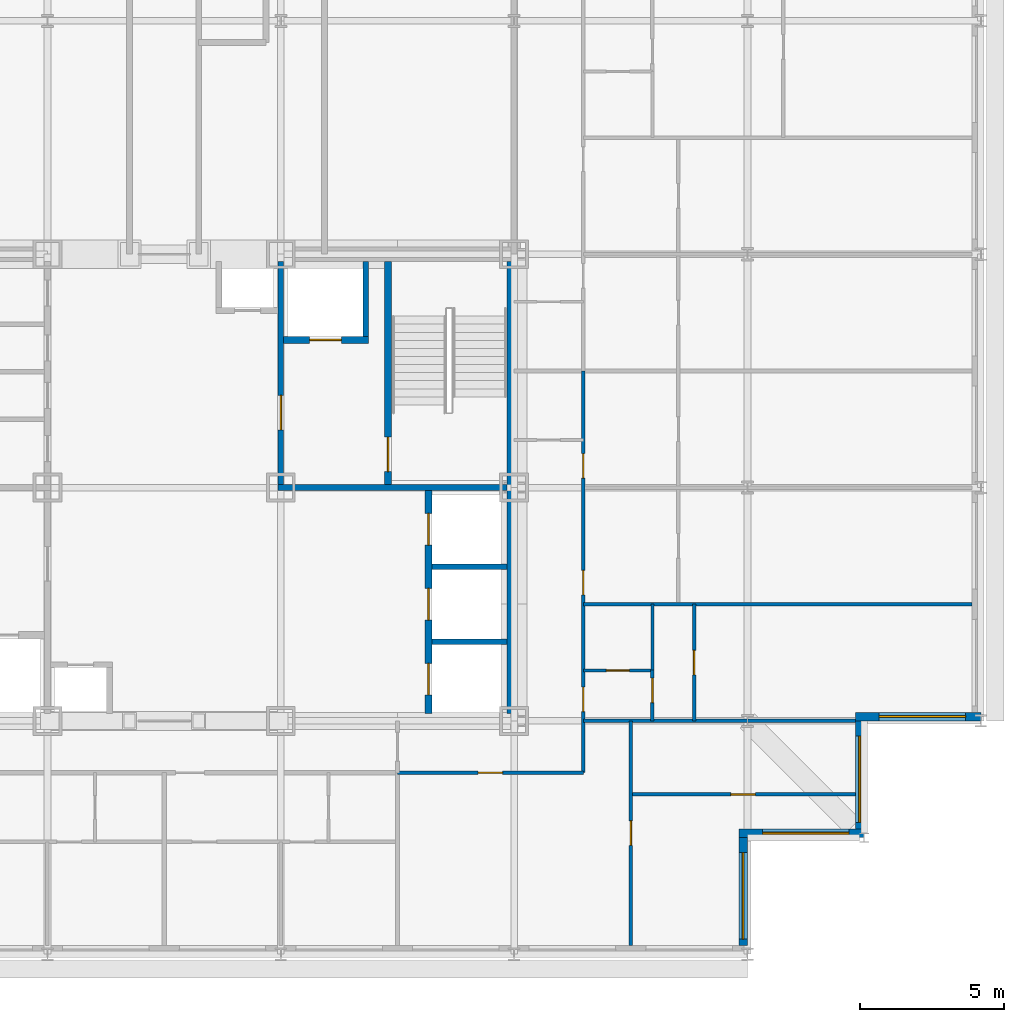
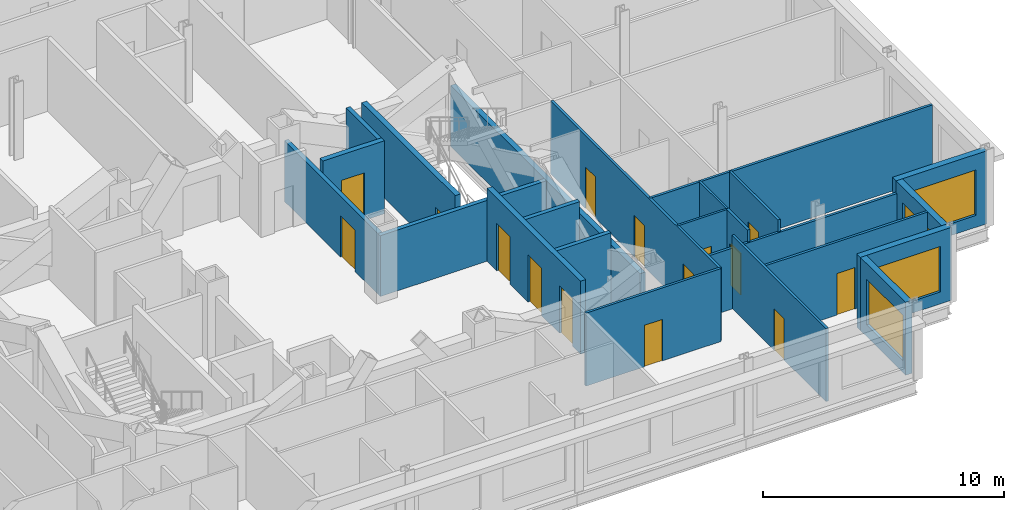
# One storey, part 10 of 15: 23 walls, 15 doors, 4 windows, 19 openings.
"""IFC4 building model written with IfcOpenShell, lengths in metres."""

from ifc_helpers import new_model, si_unit, direction, frame, frame_2d, origin, place, context, subcontext, project, spatial, rectangle, extrude, material, layer, layer_set, type_object, element, fill, save


model = new_model("IFC4")

# Units and contexts
model_context = context("Model", 3, precision=1e-05, world=origin(), true_north=direction((0.0, 1.0)))
body_context = subcontext(model_context, "Body", "Model", "MODEL_VIEW")
ifc_project = project(units=[si_unit("LENGTHUNIT", "METRE"), si_unit("AREAUNIT", "SQUARE_METRE"), si_unit("VOLUMEUNIT", "CUBIC_METRE"), si_unit("PLANEANGLEUNIT", "RADIAN"), si_unit("MASSUNIT", "GRAM", prefix="KILO")], contexts=[model_context])

# Site, building, storey
site_placement = place(None, origin())
site = spatial("IfcSite", under=ifc_project, at=site_placement, CompositionType="ELEMENT")
building_placement = place(site_placement, origin())
building = spatial("IfcBuilding", under=site, at=building_placement, Name="Kopane Lantern Tower", CompositionType="ELEMENT")
storey_placement = place(building_placement, frame((0.0, 0.0, 250.199951171875)))
storey = spatial("IfcBuildingStorey", under=building, at=storey_placement, Name="L64", CompositionType="ELEMENT", Elevation=250.199951171875)

# Wall, openings, doors
ifc_material_1 = material(Name="Gypsum board on steel studs", Category="steel")
ifc_layer_1 = layer(ifc_material_1, 0.1201171875)
ifc_layer_set_1 = layer_set([ifc_layer_1], Name="APARTMENT INTERNAL WALL 120")
wall_type_1 = type_object("IfcWallType", Name="APARTMENT INTERNAL WALL 120", PredefinedType="PARTITIONING", material=ifc_layer_set_1)
wall_1_placement = place(storey_placement, frame((42.89990234375, 22.5, 0.0), z_axis=(0.0, 0.0, 1.0), x_axis=(0.0, 1.0, 0.0)))
wall_1 = element("IfcWall", 1, at=wall_1_placement, inside=storey, type_object=wall_type_1, Name="Apartment Internal Wall 120 L64", PredefinedType="PARTITIONING", context=body_context, shape_type="SweptSolid", body=[
    extrude(rectangle(XDim=13.949951171875, YDim=0.1201171875, at=frame_2d((6.97509765625, 0.0))), origin(), (0.0, 0.0, 1.0), 3.68994140625),
])
opening_1_placement = place(wall_1_placement, frame((2.125, 0.0, 0.0)))
opening_1 = element("IfcOpeningElement", 2, at=opening_1_placement, cuts=wall_1, Name="Opening L64-048", PredefinedType="OPENING", context=body_context, shape_type="SweptSolid", body=[
    extrude(rectangle(XDim=0.85009765625, YDim=2.10009765625, at=frame_2d((0.425048828125, 1.050048828125))), frame((0.0, 0.070068359375, 0.0), z_axis=(0.0, -1.0, 0.0), x_axis=(1.0, 0.0, 0.0)), (0.0, 0.0, 1.0), 0.14013671875),
])
opening_2_placement = place(wall_1_placement, frame((6.175048828125, 0.0, 0.0)))
opening_2 = element("IfcOpeningElement", 3, at=opening_2_placement, cuts=wall_1, Name="Opening L64-049", PredefinedType="OPENING", context=body_context, shape_type="SweptSolid", body=[
    extrude(rectangle(XDim=0.85009765625, YDim=2.10009765625, at=frame_2d((0.425048828125, 1.050048828125))), frame((0.0, 0.070068359375, 0.0), z_axis=(0.0, -1.0, 0.0), x_axis=(1.0, 0.0, 0.0)), (0.0, 0.0, 1.0), 0.14013671875),
])
opening_3_placement = place(wall_1_placement, frame((10.22509765625, 0.0, 0.0)))
opening_3 = element("IfcOpeningElement", 4, at=opening_3_placement, cuts=wall_1, Name="Opening L64-050", PredefinedType="OPENING", context=body_context, shape_type="SweptSolid", body=[
    extrude(rectangle(XDim=0.85009765625, YDim=2.10009765625, at=frame_2d((0.425048828125, 1.050048828125))), frame((0.0, 0.070068359375, 0.0), z_axis=(0.0, -1.0, 0.0), x_axis=(1.0, 0.0, 0.0)), (0.0, 0.0, 1.0), 0.14013671875),
])
ifc_material_2 = material(Name="Timber door set", Category="wood")
door_type_1 = type_object("IfcDoorType", Name="DOOR D4 850x2100", OperationType="SINGLE_SWING_LEFT", PredefinedType="DOOR", material=ifc_material_2)
door_1_placement = place(opening_1_placement, origin())
door_1 = element("IfcDoor", 5, at=door_1_placement, inside=storey, type_object=door_type_1, Name="Door L64-048", OperationType="SINGLE_SWING_RIGHT", OverallHeight=2.10009765625, OverallWidth=0.85009765625, PredefinedType="DOOR", context=body_context, shape_type="SweptSolid", body=[
    extrude(rectangle(XDim=0.85009765625, YDim=2.10009765625, at=frame_2d((0.425048828125, 1.050048828125))), frame((0.0, 0.02490234375, 0.0), z_axis=(0.0, -1.0, 0.0), x_axis=(1.0, 0.0, 0.0)), (0.0, 0.0, 1.0), 0.050048828125),
])
fill(opening_1, door_1)
door_2_placement = place(opening_2_placement, origin())
door_2 = element("IfcDoor", 6, at=door_2_placement, inside=storey, type_object=door_type_1, Name="Door L64-049", OperationType="SINGLE_SWING_RIGHT", OverallHeight=2.10009765625, OverallWidth=0.85009765625, PredefinedType="DOOR", context=body_context, shape_type="SweptSolid", body=[
    extrude(rectangle(XDim=0.85009765625, YDim=2.10009765625, at=frame_2d((0.425048828125, 1.050048828125))), frame((0.0, 0.02490234375, 0.0), z_axis=(0.0, -1.0, 0.0), x_axis=(1.0, 0.0, 0.0)), (0.0, 0.0, 1.0), 0.050048828125),
])
fill(opening_2, door_2)
door_3_placement = place(opening_3_placement, origin())
door_3 = element("IfcDoor", 7, at=door_3_placement, inside=storey, type_object=door_type_1, Name="Door L64-050", OperationType="SINGLE_SWING_RIGHT", OverallHeight=2.10009765625, OverallWidth=0.85009765625, PredefinedType="DOOR", context=body_context, shape_type="SweptSolid", body=[
    extrude(rectangle(XDim=0.85009765625, YDim=2.10009765625, at=frame_2d((0.425048828125, 1.050048828125))), frame((0.0, 0.02490234375, 0.0), z_axis=(0.0, -1.0, 0.0), x_axis=(1.0, 0.0, 0.0)), (0.0, 0.0, 1.0), 0.050048828125),
])
fill(opening_3, door_3)

# Wall, opening, door
wall_2_placement = place(storey_placement, frame((36.449951171875, 22.5, 0.0), z_axis=(0.0, 0.0, 1.0), x_axis=(1.0, 0.0, 0.0)))
wall_2 = element("IfcWall", 8, at=wall_2_placement, inside=storey, type_object=wall_type_1, Name="Apartment Internal Wall 120 L64", PredefinedType="PARTITIONING", context=body_context, shape_type="SweptSolid", body=[
    extrude(rectangle(XDim=6.449951171875, YDim=0.1201171875, at=frame_2d((3.22509765625, 0.0))), origin(), (0.0, 0.0, 1.0), 3.68994140625),
])
opening_4_placement = place(wall_2_placement, frame((2.800048828125, 0.0, 0.0)))
opening_4 = element("IfcOpeningElement", 9, at=opening_4_placement, cuts=wall_2, Name="Opening L64-045", PredefinedType="OPENING", context=body_context, shape_type="SweptSolid", body=[
    extrude(rectangle(XDim=0.85009765625, YDim=2.10009765625, at=frame_2d((0.425048828125, 1.050048828125))), frame((0.0, 0.070068359375, 0.0), z_axis=(0.0, -1.0, 0.0), x_axis=(1.0, 0.0, 0.0)), (0.0, 0.0, 1.0), 0.14013671875),
])
door_4_placement = place(opening_4_placement, origin())
door_4 = element("IfcDoor", 10, at=door_4_placement, inside=storey, type_object=door_type_1, Name="Door L64-045", OperationType="SINGLE_SWING_RIGHT", OverallHeight=2.10009765625, OverallWidth=0.85009765625, PredefinedType="DOOR", context=body_context, shape_type="SweptSolid", body=[
    extrude(rectangle(XDim=0.85009765625, YDim=2.10009765625, at=frame_2d((0.425048828125, 1.050048828125))), frame((0.0, 0.02490234375, 0.0), z_axis=(0.0, -1.0, 0.0), x_axis=(1.0, 0.0, 0.0)), (0.0, 0.0, 1.0), 0.050048828125),
])
fill(opening_4, door_4)

# Wall
wall_3_placement = place(storey_placement, frame((42.89990234375, 24.300048828125, 0.0), z_axis=(0.0, 0.0, 1.0), x_axis=(1.0, 0.0, 0.0)))
element("IfcWall", 11, at=wall_3_placement, inside=storey, type_object=wall_type_1, Name="Apartment Internal Wall 120 L64", PredefinedType="PARTITIONING", context=body_context, shape_type="SweptSolid", body=[
    extrude(rectangle(XDim=9.4501953125, YDim=0.1201171875, at=frame_2d((4.72509765625, 0.0))), origin(), (0.0, 0.0, 1.0), 3.077880859375),
])

# Wall, opening, door
wall_4_placement = place(storey_placement, frame((44.550048828125, 16.5, 0.0), z_axis=(0.0, 0.0, 1.0), x_axis=(0.0, 1.0, 0.0)))
wall_4 = element("IfcWall", 12, at=wall_4_placement, inside=storey, type_object=wall_type_1, Name="Apartment Internal Wall 120 L64", PredefinedType="PARTITIONING", context=body_context, shape_type="SweptSolid", body=[
    extrude(rectangle(XDim=7.800048828125, YDim=0.1201171875, at=frame_2d((3.89990234375, 0.0))), origin(), (0.0, 0.0, 1.0), 3.68994140625),
])
opening_5_placement = place(wall_4_placement, frame((3.47509765625, 0.0, 0.0)))
opening_5 = element("IfcOpeningElement", 13, at=opening_5_placement, cuts=wall_4, Name="Opening L64-046", PredefinedType="OPENING", context=body_context, shape_type="SweptSolid", body=[
    extrude(rectangle(XDim=0.85009765625, YDim=2.10009765625, at=frame_2d((0.425048828125, 1.050048828125))), frame((0.0, 0.070068359375, 0.0), z_axis=(0.0, -1.0, 0.0), x_axis=(1.0, 0.0, 0.0)), (0.0, 0.0, 1.0), 0.14013671875),
])
door_5_placement = place(opening_5_placement, origin())
door_5 = element("IfcDoor", 14, at=door_5_placement, inside=storey, type_object=door_type_1, Name="Door L64-046", OperationType="SINGLE_SWING_LEFT", OverallHeight=2.10009765625, OverallWidth=0.85009765625, PredefinedType="DOOR", context=body_context, shape_type="SweptSolid", body=[
    extrude(rectangle(XDim=0.85009765625, YDim=2.10009765625, at=frame_2d((0.425048828125, 1.050048828125))), frame((0.0, 0.02490234375, 0.0), z_axis=(0.0, -1.0, 0.0), x_axis=(1.0, 0.0, 0.0)), (0.0, 0.0, 1.0), 0.050048828125),
])
fill(opening_5, door_5)

# Wall
wall_5_placement = place(storey_placement, frame((42.89990234375, 28.35009765625, 0.0), z_axis=(0.0, 0.0, 1.0), x_axis=(1.0, 0.0, 0.0)))
element("IfcWall", 15, at=wall_5_placement, inside=storey, type_object=wall_type_1, Name="Apartment Internal Wall 120 L64", PredefinedType="PARTITIONING", context=body_context, shape_type="SweptSolid", body=[
    extrude(rectangle(XDim=13.5, YDim=0.1201171875, at=frame_2d((6.75, 0.0))), origin(), (0.0, 0.0, 1.0), 3.68994140625),
])

# Wall, opening, door
wall_6_placement = place(storey_placement, frame((45.300048828125, 24.300048828125, 0.0), z_axis=(0.0, 0.0, 1.0), x_axis=(0.0, 1.0, 0.0)))
wall_6 = element("IfcWall", 16, at=wall_6_placement, inside=storey, type_object=wall_type_1, Name="Apartment Internal Wall 120 L64", PredefinedType="PARTITIONING", context=body_context, shape_type="SweptSolid", body=[
    extrude(rectangle(XDim=1.760009765625, YDim=0.1201171875, at=frame_2d((0.8798828125, 0.0))), origin(), (0.0, 0.0, 1.0), 3.68994140625),
])
opening_6_placement = place(wall_6_placement, frame((0.635009765625, 0.0, 0.0)))
opening_6 = element("IfcOpeningElement", 17, at=opening_6_placement, cuts=wall_6, Name="Opening L64-063", PredefinedType="OPENING", context=body_context, shape_type="SweptSolid", body=[
    extrude(rectangle(XDim=0.85009765625, YDim=2.10009765625, at=frame_2d((0.425048828125, 1.050048828125))), frame((0.0, 0.070068359375, 0.0), z_axis=(0.0, -1.0, 0.0), x_axis=(1.0, 0.0, 0.0)), (0.0, 0.0, 1.0), 0.14013671875),
])
door_6_placement = place(opening_6_placement, origin())
door_6 = element("IfcDoor", 18, at=door_6_placement, inside=storey, type_object=door_type_1, Name="Door L64-063", OperationType="SINGLE_SWING_RIGHT", OverallHeight=2.10009765625, OverallWidth=0.85009765625, PredefinedType="DOOR", context=body_context, shape_type="SweptSolid", body=[
    extrude(rectangle(XDim=0.85009765625, YDim=2.10009765625, at=frame_2d((0.425048828125, 1.050048828125))), frame((0.0, 0.02490234375, 0.0), z_axis=(0.0, -1.0, 0.0), x_axis=(1.0, 0.0, 0.0)), (0.0, 0.0, 1.0), 0.050048828125),
])
fill(opening_6, door_6)

wall_7_placement = place(storey_placement, frame((44.550048828125, 21.75, 0.0), z_axis=(0.0, 0.0, 1.0), x_axis=(1.0, 0.0, 0.0)))
wall_7 = element("IfcWall", 19, at=wall_7_placement, inside=storey, type_object=wall_type_1, Name="Apartment Internal Wall 120 L64", PredefinedType="PARTITIONING", context=body_context, shape_type="SweptSolid", body=[
    extrude(rectangle(XDim=7.800048828125, YDim=0.1201171875, at=frame_2d((3.89990234375, 0.0))), origin(), (0.0, 0.0, 1.0), 3.68994140625),
])
opening_7_placement = place(wall_7_placement, frame((3.47509765625, 0.0, 0.0)))
opening_7 = element("IfcOpeningElement", 20, at=opening_7_placement, cuts=wall_7, Name="Opening L64-066", PredefinedType="OPENING", context=body_context, shape_type="SweptSolid", body=[
    extrude(rectangle(XDim=0.85009765625, YDim=2.10009765625, at=frame_2d((0.425048828125, 1.050048828125))), frame((0.0, 0.070068359375, 0.0), z_axis=(0.0, -1.0, 0.0), x_axis=(1.0, 0.0, 0.0)), (0.0, 0.0, 1.0), 0.14013671875),
])
door_7_placement = place(opening_7_placement, origin())
door_7 = element("IfcDoor", 21, at=door_7_placement, inside=storey, type_object=door_type_1, Name="Door L64-066", OperationType="SINGLE_SWING_LEFT", OverallHeight=2.10009765625, OverallWidth=0.85009765625, PredefinedType="DOOR", context=body_context, shape_type="SweptSolid", body=[
    extrude(rectangle(XDim=0.85009765625, YDim=2.10009765625, at=frame_2d((0.425048828125, 1.050048828125))), frame((0.0, 0.02490234375, 0.0), z_axis=(0.0, -1.0, 0.0), x_axis=(1.0, 0.0, 0.0)), (0.0, 0.0, 1.0), 0.050048828125),
])
fill(opening_7, door_7)

wall_8_placement = place(storey_placement, frame((46.75, 24.300048828125, 0.0), z_axis=(0.0, 0.0, 1.0), x_axis=(0.0, 1.0, 0.0)))
wall_8 = element("IfcWall", 22, at=wall_8_placement, inside=storey, type_object=wall_type_1, Name="Apartment Internal Wall 120 L64", PredefinedType="PARTITIONING", context=body_context, shape_type="SweptSolid", body=[
    extrude(rectangle(XDim=4.050048828125, YDim=0.1201171875, at=frame_2d((2.02490234375, 0.0))), origin(), (0.0, 0.0, 1.0), 3.68994140625),
])
opening_8_placement = place(wall_8_placement, frame((1.60009765625, 0.0, 0.0)))
opening_8 = element("IfcOpeningElement", 23, at=opening_8_placement, cuts=wall_8, Name="Opening L64-067", PredefinedType="OPENING", context=body_context, shape_type="SweptSolid", body=[
    extrude(rectangle(XDim=0.85009765625, YDim=2.10009765625, at=frame_2d((0.425048828125, 1.050048828125))), frame((0.0, 0.070068359375, 0.0), z_axis=(0.0, -1.0, 0.0), x_axis=(1.0, 0.0, 0.0)), (0.0, 0.0, 1.0), 0.14013671875),
])
door_8_placement = place(opening_8_placement, origin())
door_8 = element("IfcDoor", 24, at=door_8_placement, inside=storey, type_object=door_type_1, Name="Door L64-067", OperationType="SINGLE_SWING_LEFT", OverallHeight=2.10009765625, OverallWidth=0.85009765625, PredefinedType="DOOR", context=body_context, shape_type="SweptSolid", body=[
    extrude(rectangle(XDim=0.85009765625, YDim=2.10009765625, at=frame_2d((0.425048828125, 1.050048828125))), frame((0.0, 0.02490234375, 0.0), z_axis=(0.0, -1.0, 0.0), x_axis=(1.0, 0.0, 0.0)), (0.0, 0.0, 1.0), 0.050048828125),
])
fill(opening_8, door_8)

ifc_material_3 = material(Name="Moisture-resistant board on steel studs", Category="steel")
ifc_layer_2 = layer(ifc_material_3, 0.10009765625)
ifc_layer_set_2 = layer_set([ifc_layer_2], Name="BATHROOM WALL 100")
wall_type_2 = type_object("IfcWallType", Name="BATHROOM WALL 100", PredefinedType="PARTITIONING", material=ifc_layer_set_2)
wall_9_placement = place(storey_placement, frame((42.89990234375, 26.050048828125, 0.0), z_axis=(0.0, 0.0, 1.0), x_axis=(1.0, 0.0, 0.0)))
wall_9 = element("IfcWall", 25, at=wall_9_placement, inside=storey, type_object=wall_type_2, Name="Bathroom Wall 100 L64", PredefinedType="PARTITIONING", context=body_context, shape_type="SweptSolid", body=[
    extrude(rectangle(XDim=2.400146484375, YDim=0.10009765625, at=frame_2d((1.2001953125, 0.0))), origin(), (0.0, 0.0, 1.0), 3.68994140625),
])
opening_9_placement = place(wall_9_placement, frame((0.800048828125, 0.0, 0.0)))
opening_9 = element("IfcOpeningElement", 26, at=opening_9_placement, cuts=wall_9, Name="Opening L64-047", PredefinedType="OPENING", context=body_context, shape_type="SweptSolid", body=[
    extrude(rectangle(XDim=0.800048828125, YDim=2.10009765625, at=frame_2d((0.39990234375, 1.050048828125))), frame((0.0, 0.06005859375, 0.0), z_axis=(0.0, -1.0, 0.0), x_axis=(1.0, 0.0, 0.0)), (0.0, 0.0, 1.0), 0.1201171875),
])
ifc_material_4 = material(Name="Timber door set", Category="wood")
door_type_2 = type_object("IfcDoorType", Name="DOOR D2 800x2100", OperationType="SINGLE_SWING_LEFT", PredefinedType="DOOR", material=ifc_material_4)
door_9_placement = place(opening_9_placement, origin())
door_9 = element("IfcDoor", 27, at=door_9_placement, inside=storey, type_object=door_type_2, Name="Door L64-047", OperationType="SINGLE_SWING_LEFT", OverallHeight=2.10009765625, OverallWidth=0.800048828125, PredefinedType="DOOR", context=body_context, shape_type="SweptSolid", body=[
    extrude(rectangle(XDim=0.800048828125, YDim=2.10009765625, at=frame_2d((0.39990234375, 1.050048828125))), frame((0.0, 0.02490234375, 0.0), z_axis=(0.0, -1.0, 0.0), x_axis=(1.0, 0.0, 0.0)), (0.0, 0.0, 1.0), 0.050048828125),
])
fill(opening_9, door_9)

# Walls
wall_10_placement = place(storey_placement, frame((45.300048828125, 26.050048828125, 0.0), z_axis=(0.0, 0.0, 1.0), x_axis=(0.0, 1.0, 0.0)))
element("IfcWall", 28, at=wall_10_placement, inside=storey, type_object=wall_type_2, Name="Bathroom Wall 100 L64", PredefinedType="PARTITIONING", context=body_context, shape_type="SweptSolid", body=[
    extrude(rectangle(XDim=2.300048828125, YDim=0.10009765625, at=frame_2d((1.14990234375, 0.0))), origin(), (0.0, 0.0, 1.0), 3.68994140625),
])
ifc_material_5 = material(Name="Gypsum shaft wall EI 120", Category="gypsum")
ifc_layer_3 = layer(ifc_material_5, 0.25)
ifc_layer_set_3 = layer_set([ifc_layer_3], Name="CORE SHAFT WALL 250 EI 120")
wall_type_3 = type_object("IfcWallType", Name="CORE SHAFT WALL 250 EI 120", PredefinedType="SOLIDWALL", material=ifc_layer_set_3)
wall_11_placement = place(storey_placement, frame((40.375, 24.550048828125, 0.0), z_axis=(0.0, 0.0, 1.0), x_axis=(0.0, 1.0, 0.0)))
element("IfcWall", 29, at=wall_11_placement, inside=storey, type_object=wall_type_3, Name="Core shaft wall L64 PE", PredefinedType="SOLIDWALL", context=body_context, shape_type="SweptSolid", body=[
    extrude(rectangle(XDim=15.699951171875, YDim=0.25, at=frame_2d((7.85009765625, 0.0))), origin(), (0.0, 0.0, 1.0), 3.077880859375),
])

# Wall, openings, doors
wall_12_placement = place(storey_placement, frame((37.52490234375, 24.550048828125, 0.0), z_axis=(0.0, 0.0, 1.0), x_axis=(0.0, 1.0, 0.0)))
wall_12 = element("IfcWall", 30, at=wall_12_placement, inside=storey, type_object=wall_type_3, Name="Core shaft wall L64 XLR", PredefinedType="SOLIDWALL", context=body_context, shape_type="SweptSolid", body=[
    extrude(rectangle(XDim=7.75, YDim=0.25, at=frame_2d((3.875, 0.0))), origin(), (0.0, 0.0, 1.0), 3.68994140625),
])
opening_10_placement = place(wall_12_placement, frame((0.64990234375, 0.0, 0.0)))
opening_10 = element("IfcOpeningElement", 31, at=opening_10_placement, cuts=wall_12, Name="Opening 64.LD-LR1", PredefinedType="OPENING", context=body_context, shape_type="SweptSolid", body=[
    extrude(rectangle(XDim=1.10009765625, YDim=2.39990234375, at=frame_2d((0.550048828125, 1.199951171875))), frame((0.0, 0.135009765625, 0.0), z_axis=(0.0, -1.0, 0.0), x_axis=(1.0, 0.0, 0.0)), (0.0, 0.0, 1.0), 0.27001953125),
])
opening_11_placement = place(wall_12_placement, frame((3.25, 0.0, 0.0)))
opening_11 = element("IfcOpeningElement", 32, at=opening_11_placement, cuts=wall_12, Name="Opening 64.LD-LR2", PredefinedType="OPENING", context=body_context, shape_type="SweptSolid", body=[
    extrude(rectangle(XDim=1.10009765625, YDim=2.39990234375, at=frame_2d((0.550048828125, 1.199951171875))), frame((0.0, 0.135009765625, 0.0), z_axis=(0.0, -1.0, 0.0), x_axis=(1.0, 0.0, 0.0)), (0.0, 0.0, 1.0), 0.27001953125),
])
opening_12_placement = place(wall_12_placement, frame((5.85009765625, 0.0, 0.0)))
opening_12 = element("IfcOpeningElement", 33, at=opening_12_placement, cuts=wall_12, Name="Opening 64.LD-LR3", PredefinedType="OPENING", context=body_context, shape_type="SweptSolid", body=[
    extrude(rectangle(XDim=1.10009765625, YDim=2.39990234375, at=frame_2d((0.550048828125, 1.199951171875))), frame((0.0, 0.135009765625, 0.0), z_axis=(0.0, -1.0, 0.0), x_axis=(1.0, 0.0, 0.0)), (0.0, 0.0, 1.0), 0.27001953125),
])
ifc_material_6 = material(Name="Steel door set", Category="steel")
door_type_3 = type_object("IfcDoorType", Name="LIFT LANDING DOOR 1100x2400 FD60", OperationType="DOUBLE_DOOR_SLIDING", PredefinedType="DOOR", material=ifc_material_6)
door_10_placement = place(opening_10_placement, origin())
door_10 = element("IfcDoor", 34, at=door_10_placement, inside=storey, type_object=door_type_3, Name="Landing door LR1 L64", OperationType="DOUBLE_DOOR_SLIDING", OverallHeight=2.39990234375, OverallWidth=1.10009765625, PredefinedType="DOOR", context=body_context, shape_type="SweptSolid", body=[
    extrude(rectangle(XDim=1.10009765625, YDim=2.39990234375, at=frame_2d((0.550048828125, 1.199951171875))), frame((0.0, 0.02490234375, 0.0), z_axis=(0.0, -1.0, 0.0), x_axis=(1.0, 0.0, 0.0)), (0.0, 0.0, 1.0), 0.050048828125),
])
fill(opening_10, door_10)
door_11_placement = place(opening_11_placement, origin())
door_11 = element("IfcDoor", 35, at=door_11_placement, inside=storey, type_object=door_type_3, Name="Landing door LR2 L64", OperationType="DOUBLE_DOOR_SLIDING", OverallHeight=2.39990234375, OverallWidth=1.10009765625, PredefinedType="DOOR", context=body_context, shape_type="SweptSolid", body=[
    extrude(rectangle(XDim=1.10009765625, YDim=2.39990234375, at=frame_2d((0.550048828125, 1.199951171875))), frame((0.0, 0.02490234375, 0.0), z_axis=(0.0, -1.0, 0.0), x_axis=(1.0, 0.0, 0.0)), (0.0, 0.0, 1.0), 0.050048828125),
])
fill(opening_11, door_11)
door_12_placement = place(opening_12_placement, origin())
door_12 = element("IfcDoor", 36, at=door_12_placement, inside=storey, type_object=door_type_3, Name="Landing door LR3 L64", OperationType="DOUBLE_DOOR_SLIDING", OverallHeight=2.39990234375, OverallWidth=1.10009765625, PredefinedType="DOOR", context=body_context, shape_type="SweptSolid", body=[
    extrude(rectangle(XDim=1.10009765625, YDim=2.39990234375, at=frame_2d((0.550048828125, 1.199951171875))), frame((0.0, 0.02490234375, 0.0), z_axis=(0.0, -1.0, 0.0), x_axis=(1.0, 0.0, 0.0)), (0.0, 0.0, 1.0), 0.050048828125),
])
fill(opening_12, door_12)

# Wall, opening, door
wall_13_placement = place(storey_placement, frame((36.125, 32.5, 0.0), z_axis=(0.0, 0.0, 1.0), x_axis=(0.0, 1.0, 0.0)))
wall_13 = element("IfcWall", 37, at=wall_13_placement, inside=storey, type_object=wall_type_3, Name="Core shaft wall L64 XST2", PredefinedType="SOLIDWALL", context=body_context, shape_type="SweptSolid", body=[
    extrude(rectangle(XDim=7.75, YDim=0.25, at=frame_2d((3.875, 0.0))), origin(), (0.0, 0.0, 1.0), 3.68994140625),
])
opening_13_placement = place(wall_13_placement, frame((0.449951171875, 0.0, 0.0)))
opening_13 = element("IfcOpeningElement", 38, at=opening_13_placement, cuts=wall_13, Name="Opening 64.SD2", PredefinedType="OPENING", context=body_context, shape_type="SweptSolid", body=[
    extrude(rectangle(XDim=1.199951171875, YDim=2.10009765625, at=frame_2d((0.60009765625, 1.050048828125))), frame((0.0, 0.135009765625, 0.0), z_axis=(0.0, -1.0, 0.0), x_axis=(1.0, 0.0, 0.0)), (0.0, 0.0, 1.0), 0.27001953125),
])
ifc_material_7 = material(Name="Steel door set", Category="steel")
door_type_4 = type_object("IfcDoorType", Name="STAIR DOOR 1200x2100 FD60S", OperationType="SINGLE_SWING_LEFT", PredefinedType="DOOR", material=ifc_material_7)
door_13_placement = place(opening_13_placement, origin())
door_13 = element("IfcDoor", 39, at=door_13_placement, inside=storey, type_object=door_type_4, Name="Stair door ST2 L64", OperationType="SINGLE_SWING_RIGHT", OverallHeight=2.10009765625, OverallWidth=1.199951171875, PredefinedType="DOOR", context=body_context, shape_type="SweptSolid", body=[
    extrude(rectangle(XDim=1.199951171875, YDim=2.10009765625, at=frame_2d((0.60009765625, 1.050048828125))), frame((0.0, 0.02490234375, 0.0), z_axis=(0.0, -1.0, 0.0), x_axis=(1.0, 0.0, 0.0)), (0.0, 0.0, 1.0), 0.050048828125),
])
fill(opening_13, door_13)

wall_14_placement = place(storey_placement, frame((32.5, 37.52490234375, 0.0), z_axis=(0.0, 0.0, 1.0), x_axis=(1.0, 0.0, 0.0)))
wall_14 = element("IfcWall", 40, at=wall_14_placement, inside=storey, type_object=wall_type_3, Name="Core shaft wall L64 YLF2", PredefinedType="SOLIDWALL", context=body_context, shape_type="SweptSolid", body=[
    extrude(rectangle(XDim=2.949951171875, YDim=0.25, at=frame_2d((1.47509765625, 0.0))), origin(), (0.0, 0.0, 1.0), 3.68994140625),
])
opening_14_placement = place(wall_14_placement, frame((0.89990234375, 0.0, 0.0)))
opening_14 = element("IfcOpeningElement", 41, at=opening_14_placement, cuts=wall_14, Name="Opening 64.LD-LF2", PredefinedType="OPENING", context=body_context, shape_type="SweptSolid", body=[
    extrude(rectangle(XDim=1.10009765625, YDim=2.39990234375, at=frame_2d((0.550048828125, 1.199951171875))), frame((0.0, 0.135009765625, 0.0), z_axis=(0.0, -1.0, 0.0), x_axis=(1.0, 0.0, 0.0)), (0.0, 0.0, 1.0), 0.27001953125),
])
door_14_placement = place(opening_14_placement, origin())
door_14 = element("IfcDoor", 42, at=door_14_placement, inside=storey, type_object=door_type_3, Name="Landing door LF2 L64", OperationType="DOUBLE_DOOR_SLIDING", OverallHeight=2.39990234375, OverallWidth=1.10009765625, PredefinedType="DOOR", context=body_context, shape_type="SweptSolid", body=[
    extrude(rectangle(XDim=1.10009765625, YDim=2.39990234375, at=frame_2d((0.550048828125, 1.199951171875))), frame((0.0, 0.02490234375, 0.0), z_axis=(0.0, -1.0, 0.0), x_axis=(1.0, 0.0, 0.0)), (0.0, 0.0, 1.0), 0.050048828125),
])
fill(opening_14, door_14)

# Wall, opening, window
ifc_material_8 = material(Name="Terracotta rainscreen on light steel framing", Category="masonry")
ifc_layer_4 = layer(ifc_material_8, 0.300048828125)
ifc_layer_set_4 = layer_set([ifc_layer_4], Name="EXTERNAL WALL EW1 300 TERRACOTTA")
wall_type_4 = type_object("IfcWallType", Name="EXTERNAL WALL EW1 300 TERRACOTTA", PredefinedType="SOLIDWALL", material=ifc_layer_set_4)
wall_15_placement = place(storey_placement, frame((48.449951171875, 16.5, 0.0), z_axis=(0.0, 0.0, 1.0), x_axis=(0.0, 1.0, 0.0)))
wall_15 = element("IfcWall", 43, at=wall_15_placement, inside=storey, type_object=wall_type_4, Name="External wall E L64", PredefinedType="SOLIDWALL", context=body_context, shape_type="SweptSolid", body=[
    extrude(rectangle(XDim=3.75, YDim=0.300048828125, at=frame_2d((1.875, 0.0))), origin(), (0.0, 0.0, 1.0), 3.68994140625),
])
opening_15_placement = place(wall_15_placement, frame((0.22509765625, 0.0, 0.60009765625)))
opening_15 = element("IfcOpeningElement", 44, at=opening_15_placement, cuts=wall_15, Name="Opening WR300230", PredefinedType="OPENING", context=body_context, shape_type="SweptSolid", body=[
    extrude(rectangle(XDim=3.0, YDim=2.300048828125, at=frame_2d((1.5, 1.14990234375))), frame((0.0, 0.159912109375, 0.0), z_axis=(0.0, -1.0, 0.0), x_axis=(1.0, 0.0, 0.0)), (0.0, 0.0, 1.0), 0.320068359375),
])
ifc_material_9 = material(Name="Aluminium and clear glass", Category="aluminium")
window_type = type_object("IfcWindowType", Name="RIBBON WINDOW WR300230 3000x2300", PartitioningType="SINGLE_PANEL", PredefinedType="WINDOW", material=ifc_material_9)
window_1_placement = place(opening_15_placement, origin())
window_1 = element("IfcWindow", 45, at=window_1_placement, inside=storey, type_object=window_type, Name="Window E L64", OverallHeight=2.300048828125, OverallWidth=3.0, PartitioningType="SINGLE_PANEL", PredefinedType="WINDOW", context=body_context, shape_type="SweptSolid", body=[
    extrude(rectangle(XDim=3.0, YDim=2.300048828125, at=frame_2d((1.5, 1.14990234375))), frame((0.0, 0.030029296875, 0.0), z_axis=(0.0, -1.0, 0.0), x_axis=(1.0, 0.0, 0.0)), (0.0, 0.0, 1.0), 0.06005859375),
])
fill(opening_15, window_1)

wall_16_placement = place(storey_placement, frame((48.300048828125, 20.39990234375, 0.0), z_axis=(0.0, 0.0, 1.0), x_axis=(1.0, 0.0, 0.0)))
wall_16 = element("IfcWall", 46, at=wall_16_placement, inside=storey, type_object=wall_type_4, Name="External wall S L64", PredefinedType="SOLIDWALL", context=body_context, shape_type="SweptSolid", body=[
    extrude(rectangle(XDim=4.349853515625, YDim=0.300048828125, at=frame_2d((2.1748046875, 0.0))), origin(), (0.0, 0.0, 1.0), 3.68994140625),
])
opening_16_placement = place(wall_16_placement, frame((0.824951171875, 0.0, 0.60009765625)))
opening_16 = element("IfcOpeningElement", 47, at=opening_16_placement, cuts=wall_16, Name="Opening WR300230", PredefinedType="OPENING", context=body_context, shape_type="SweptSolid", body=[
    extrude(rectangle(XDim=3.0, YDim=2.300048828125, at=frame_2d((1.5, 1.14990234375))), frame((0.0, 0.159912109375, 0.0), z_axis=(0.0, -1.0, 0.0), x_axis=(1.0, 0.0, 0.0)), (0.0, 0.0, 1.0), 0.320068359375),
])
window_2_placement = place(opening_16_placement, origin())
window_2 = element("IfcWindow", 48, at=window_2_placement, inside=storey, type_object=window_type, Name="Window S L64", OverallHeight=2.300048828125, OverallWidth=3.0, PartitioningType="SINGLE_PANEL", PredefinedType="WINDOW", context=body_context, shape_type="SweptSolid", body=[
    extrude(rectangle(XDim=3.0, YDim=2.300048828125, at=frame_2d((1.5, 1.14990234375))), frame((0.0, 0.030029296875, 0.0), z_axis=(0.0, -1.0, 0.0), x_axis=(1.0, 0.0, 0.0)), (0.0, 0.0, 1.0), 0.06005859375),
])
fill(opening_16, window_2)

wall_17_placement = place(storey_placement, frame((52.5, 20.550048828125, 0.0), z_axis=(0.0, 0.0, 1.0), x_axis=(0.0, 1.0, 0.0)))
wall_17 = element("IfcWall", 49, at=wall_17_placement, inside=storey, type_object=wall_type_4, Name="External wall E L64", PredefinedType="SOLIDWALL", context=body_context, shape_type="SweptSolid", body=[
    extrude(rectangle(XDim=3.75, YDim=0.300048828125, at=frame_2d((1.875, 0.0))), origin(), (0.0, 0.0, 1.0), 3.68994140625),
])
opening_17_placement = place(wall_17_placement, frame((0.22509765625, 0.0, 0.60009765625)))
opening_17 = element("IfcOpeningElement", 50, at=opening_17_placement, cuts=wall_17, Name="Opening WR300230", PredefinedType="OPENING", context=body_context, shape_type="SweptSolid", body=[
    extrude(rectangle(XDim=3.0, YDim=2.300048828125, at=frame_2d((1.5, 1.14990234375))), frame((0.0, 0.159912109375, 0.0), z_axis=(0.0, -1.0, 0.0), x_axis=(1.0, 0.0, 0.0)), (0.0, 0.0, 1.0), 0.320068359375),
])
window_3_placement = place(opening_17_placement, origin())
window_3 = element("IfcWindow", 51, at=window_3_placement, inside=storey, type_object=window_type, Name="Window E L64", OverallHeight=2.300048828125, OverallWidth=3.0, PartitioningType="SINGLE_PANEL", PredefinedType="WINDOW", context=body_context, shape_type="SweptSolid", body=[
    extrude(rectangle(XDim=3.0, YDim=2.300048828125, at=frame_2d((1.5, 1.14990234375))), frame((0.0, 0.030029296875, 0.0), z_axis=(0.0, -1.0, 0.0), x_axis=(1.0, 0.0, 0.0)), (0.0, 0.0, 1.0), 0.06005859375),
])
fill(opening_17, window_3)

wall_18_placement = place(storey_placement, frame((52.35009765625, 24.449951171875, 0.0), z_axis=(0.0, 0.0, 1.0), x_axis=(1.0, 0.0, 0.0)))
wall_18 = element("IfcWall", 52, at=wall_18_placement, inside=storey, type_object=wall_type_4, Name="External wall S L64", PredefinedType="SOLIDWALL", context=body_context, shape_type="SweptSolid", body=[
    extrude(rectangle(XDim=4.349853515625, YDim=0.300048828125, at=frame_2d((2.1748046875, 0.0))), origin(), (0.0, 0.0, 1.0), 3.68994140625),
])
opening_18_placement = place(wall_18_placement, frame((0.824951171875, 0.0, 0.60009765625)))
opening_18 = element("IfcOpeningElement", 53, at=opening_18_placement, cuts=wall_18, Name="Opening WR300230", PredefinedType="OPENING", context=body_context, shape_type="SweptSolid", body=[
    extrude(rectangle(XDim=3.0, YDim=2.300048828125, at=frame_2d((1.5, 1.14990234375))), frame((0.0, 0.159912109375, 0.0), z_axis=(0.0, -1.0, 0.0), x_axis=(1.0, 0.0, 0.0)), (0.0, 0.0, 1.0), 0.320068359375),
])
window_4_placement = place(opening_18_placement, origin())
window_4 = element("IfcWindow", 54, at=window_4_placement, inside=storey, type_object=window_type, Name="Window S L64", OverallHeight=2.300048828125, OverallWidth=3.0, PartitioningType="SINGLE_PANEL", PredefinedType="WINDOW", context=body_context, shape_type="SweptSolid", body=[
    extrude(rectangle(XDim=3.0, YDim=2.300048828125, at=frame_2d((1.5, 1.14990234375))), frame((0.0, 0.030029296875, 0.0), z_axis=(0.0, -1.0, 0.0), x_axis=(1.0, 0.0, 0.0)), (0.0, 0.0, 1.0), 0.06005859375),
])
fill(opening_18, window_4)

# Wall
ifc_material_10 = material(Name="Gypsum shaft wall EI 120", Category="gypsum")
ifc_layer_5 = layer(ifc_material_10, 0.199951171875)
ifc_layer_set_5 = layer_set([ifc_layer_5], Name="SHAFT WALL 200 EI 120")
wall_type_5 = type_object("IfcWallType", Name="SHAFT WALL 200 EI 120", PredefinedType="SOLIDWALL", material=ifc_layer_set_5)
wall_19_placement = place(storey_placement, frame((32.300048828125, 32.39990234375, 0.0), z_axis=(0.0, 0.0, 1.0), x_axis=(1.0, 0.0, 0.0)))
element("IfcWall", 55, at=wall_19_placement, inside=storey, type_object=wall_type_5, Name="Core shaft wall L64 Y324E", PredefinedType="SOLIDWALL", context=body_context, shape_type="SweptSolid", body=[
    extrude(rectangle(XDim=7.949951171875, YDim=0.199951171875, at=frame_2d((3.97509765625, 0.0))), origin(), (0.0, 0.0, 1.0), 3.077880859375),
])

# Wall, opening, door
wall_20_placement = place(storey_placement, frame((32.39990234375, 32.5, 0.0), z_axis=(0.0, 0.0, 1.0), x_axis=(0.0, 1.0, 0.0)))
wall_20 = element("IfcWall", 56, at=wall_20_placement, inside=storey, type_object=wall_type_5, Name="Core shaft wall L64 X324", PredefinedType="SOLIDWALL", context=body_context, shape_type="SweptSolid", body=[
    extrude(rectangle(XDim=7.75, YDim=0.199951171875, at=frame_2d((3.875, 0.0))), origin(), (0.0, 0.0, 1.0), 3.077880859375),
])
opening_19_placement = place(wall_20_placement, frame((1.89990234375, 0.0, 0.0)))
opening_19 = element("IfcOpeningElement", 57, at=opening_19_placement, cuts=wall_20, Name="Opening 64.FL2", PredefinedType="OPENING", context=body_context, shape_type="SweptSolid", body=[
    extrude(rectangle(XDim=1.199951171875, YDim=2.10009765625, at=frame_2d((0.60009765625, 1.050048828125))), frame((0.0, 0.10986328125, 0.0), z_axis=(0.0, -1.0, 0.0), x_axis=(1.0, 0.0, 0.0)), (0.0, 0.0, 1.0), 0.219970703125),
])
ifc_material_11 = material(Name="Steel door set", Category="steel")
door_type_5 = type_object("IfcDoorType", Name="FIREFIGHTING LOBBY DOOR 1200x2100 FD60S", OperationType="SINGLE_SWING_RIGHT", PredefinedType="DOOR", material=ifc_material_11)
door_15_placement = place(opening_19_placement, origin())
door_15 = element("IfcDoor", 58, at=door_15_placement, inside=storey, type_object=door_type_5, Name="Firefighting lobby door FL2 L64", OperationType="SINGLE_SWING_LEFT", OverallHeight=2.10009765625, OverallWidth=1.199951171875, PredefinedType="DOOR", context=body_context, shape_type="SweptSolid", body=[
    extrude(rectangle(XDim=1.199951171875, YDim=2.10009765625, at=frame_2d((0.60009765625, 1.050048828125))), frame((0.0, 0.02490234375, 0.0), z_axis=(0.0, -1.0, 0.0), x_axis=(1.0, 0.0, 0.0)), (0.0, 0.0, 1.0), 0.050048828125),
])
fill(opening_19, door_15)

# Walls
for number, where, z_axis, x_axis, name in (
    (59, (37.64990234375, 27.050048828125, 0.0), (0.0, 0.0, 1.0), (1.0, 0.0, 0.0), "Core shaft wall L64 YLR12"),
    (60, (37.64990234375, 29.64990234375, 0.0), (0.0, 0.0, 1.0), (1.0, 0.0, 0.0), "Core shaft wall L64 YLR23"),
    (61, (35.35009765625, 37.64990234375, 0.0), (0.0, 0.0, 1.0), (0.0, 1.0, 0.0), "Core shaft wall L64 XLF2"),
):
    element("IfcWall", number, at=place(storey_placement, frame(where, z_axis=z_axis, x_axis=x_axis)), inside=storey, type_object=wall_type_5, Name=name, PredefinedType="SOLIDWALL", context=body_context, shape_type="SweptSolid", body=[
        extrude(rectangle(XDim=2.60009765625, YDim=0.199951171875, at=frame_2d((1.300048828125, 0.0))), origin(), (0.0, 0.0, 1.0), 3.68994140625),
    ])

save(model, "model.ifc")
